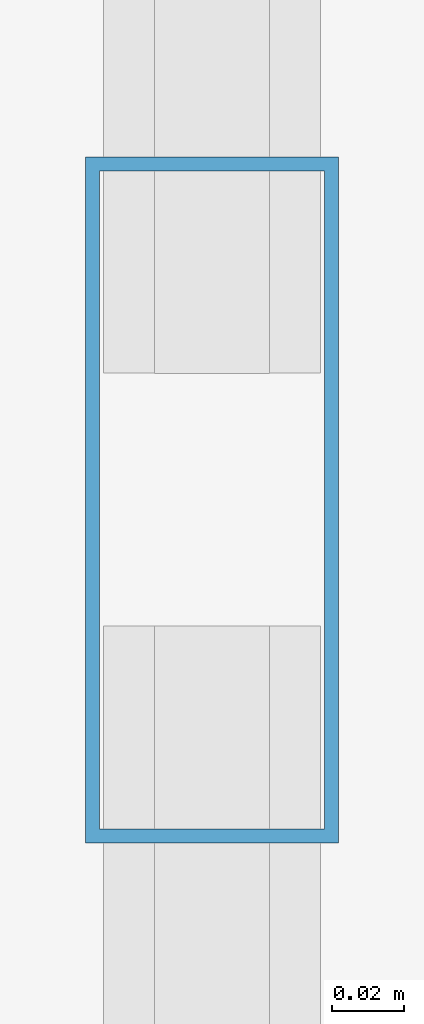
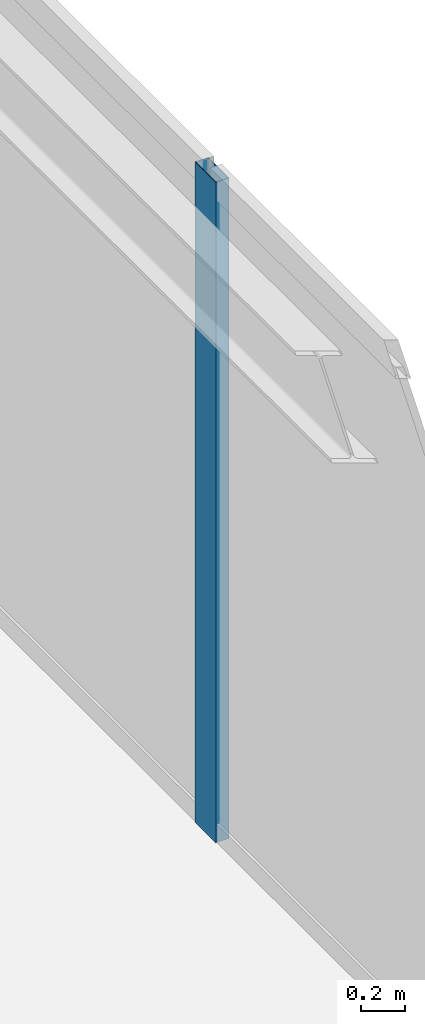
# One storey, part 18 of 31: 1 member, 1 element without a shape of its own.
"""IFC4 building model written with IfcOpenShell, lengths in metres."""

from ifc_helpers import new_model, si_unit, direction, frame, origin, origin_2d, place, context, subcontext, project, spatial, hollow_rectangle, extrude, source, transform, mapped, material, layer, layer_set, material_profile, profile_set, type_object, type_shapes, element, aggregate, save


model = new_model("IFC4")

# Units and contexts
model_context = context("Model", 3, precision=1e-05, world=origin(), true_north=direction((0.0, 1.0)))
body_context = subcontext(model_context, "Body", "Model", "MODEL_VIEW")
ifc_project = project(units=[si_unit("LENGTHUNIT", "METRE"), si_unit("AREAUNIT", "SQUARE_METRE"), si_unit("VOLUMEUNIT", "CUBIC_METRE"), si_unit("PLANEANGLEUNIT", "RADIAN"), si_unit("MASSUNIT", "GRAM", prefix="KILO")], contexts=[model_context])

# Site, building, storey
site_placement = place(None, origin())
site = spatial("IfcSite", under=ifc_project, at=site_placement, CompositionType="ELEMENT")
building_placement = place(site_placement, origin())
building = spatial("IfcBuilding", under=site, at=building_placement, Name="Varnel Quay Broadcast Tower", CompositionType="ELEMENT")
storey_placement = place(building_placement, frame((0.0, 0.0, 35.39990234375)))
storey = spatial("IfcBuildingStorey", under=building, at=storey_placement, Name="L07", CompositionType="ELEMENT", Elevation=35.39990234375)

# Curtain wall, member
ifc_material = material(Name="Anodised Bronze Aluminium 6063-T6", Category="aluminium")
ifc_layer = layer(ifc_material, 0.18994140625, Name="Anodised Bronze Aluminium 6063-T6")
ifc_layer_set = layer_set([ifc_layer], Name="Anodised Bronze Aluminium 6063-T6")
curtain_wall_type = type_object("IfcCurtainWallType", Name="CW_LowerTower", PredefinedType="NOTDEFINED", material=ifc_layer_set)
curtain_wall_placement = place(storey_placement, origin())
curtain_wall = element("IfcCurtainWall", 1, at=curtain_wall_placement, inside=storey, type_object=curtain_wall_type, Name="L07 East Unitised Curtain Wall", PredefinedType="NOTDEFINED")
ifc_material_profile = material_profile(ifc_material, hollow_rectangle(XDim=0.070068359375, YDim=0.18994140625, WallThickness=0.00390625, at=origin_2d()), Name="ALU70X190X4")
ifc_profile_set = profile_set([ifc_material_profile], Name="Anodised Bronze Aluminium 6063-T6")
member_type = type_object("IfcMemberType", Name="Mull_CWS-02", PredefinedType="MULLION", material=ifc_profile_set)
shared_shape = source(origin(), body_context, "Body", "SweptSolid", [
    extrude(hollow_rectangle(XDim=0.070068359375, YDim=0.18994140625, WallThickness=0.00390625, at=origin_2d()), origin(), (0.0, 0.0, 1.0), 3.650146484375),
])
type_shapes(member_type, [shared_shape])
member_placement = place(storey_placement, frame((65.85009765625, 30.39990234375, 0.0), z_axis=(0.0, 0.0, 1.0), x_axis=(-1.0, 0.0, 0.0)))
member = element("IfcMember", 2, at=member_placement, type_object=member_type, Name="CWS-02 mullion 3", PredefinedType="MULLION", context=body_context, shape_type="MappedRepresentation", body=[
    mapped(shared_shape, transform((0.0, 0.0, 0.0), x_axis=(1.0, 0.0, 0.0), y_axis=(0.0, 1.0, 0.0), z_axis=(0.0, 0.0, 1.0), scale=1.0)),
])
aggregate(curtain_wall, [member])

save(model, "model.ifc")
